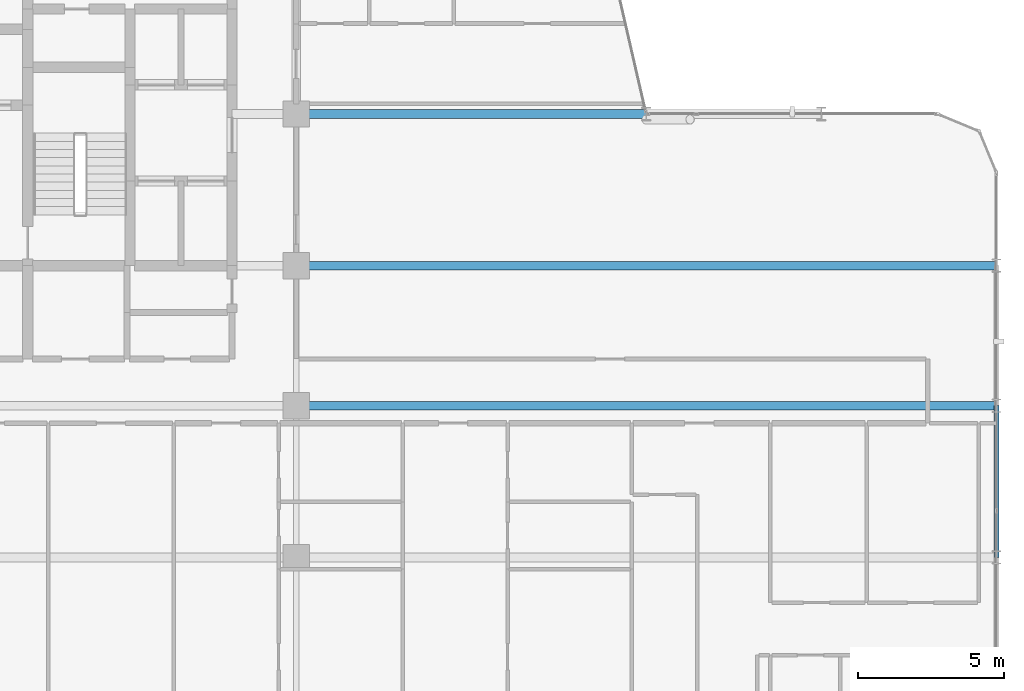
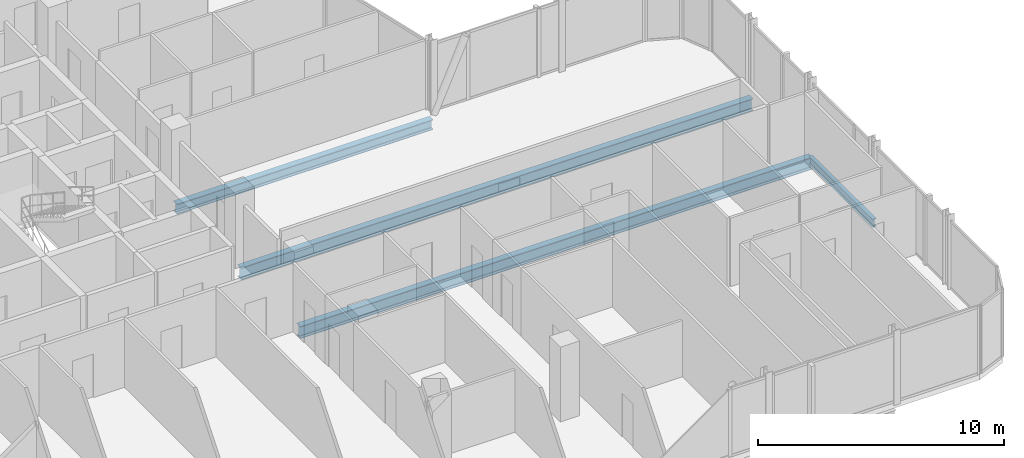
# One storey, part 13 of 29: 4 beams.
"""IFC4 building model written with IfcOpenShell, lengths in metres."""

import ifcopenshell
import ifcopenshell.guid

model = None  # the IFC model being written
_history = None  # IfcOwnerHistory: only IFC2X3 demands one
_inside = {}  # id of a spatial element -> (the spatial element, [elements in it])
_under = {}  # id of a project, library or spatial element -> (it, [spatial elements below it])
_declared = {}  # id of a project -> (the project, [libraries it declares])
_typed = {}  # id of a type object -> (the type object, [elements of that type])
_made_of = {}  # id of a material, layer set ... -> (it, [elements and type objects made of it])


def new_model(schema):
    """Start an empty IFC model of exactly this schema.

    Asked for "IFC4X3", IfcOpenShell would pick the latest addendum, in which some entities
    have other attributes; the version numbers below select the first issue.
    IFC2X3 requires an IfcOwnerHistory on every rooted entity: one is made here for all.
    """
    global model, _history
    if schema == "IFC4X3":
        model = ifcopenshell.file(schema_version=(4, 3, 0, 0))
    else:
        model = ifcopenshell.file(schema=schema)
    _inside.clear()
    _under.clear()
    _declared.clear()
    _typed.clear()
    _made_of.clear()
    _history = None
    if model.schema == "IFC2X3":
        org = make("IfcOrganization", Name="unknown")
        user = make(
            "IfcPersonAndOrganization",
            ThePerson=make("IfcPerson", FamilyName="unknown"),
            TheOrganization=org,
        )
        app = make(
            "IfcApplication",
            ApplicationDeveloper=org,
            Version="unknown",
            ApplicationFullName="unknown",
            ApplicationIdentifier="unknown",
        )
        _history = make(
            "IfcOwnerHistory",
            OwningUser=user,
            OwningApplication=app,
            ChangeAction="ADDED",
            CreationDate=0,
        )
    return model


def make(cls, **values):
    """One entity of the class cls with the attributes given. An attribute that is None is left unset."""
    return model.create_entity(
        cls, **{name: value for name, value in values.items() if value is not None}
    )


def rooted(cls, **values):
    """An entity with a GlobalId (a new one), such as an element, a storey or a relation."""
    return make(cls, GlobalId=ifcopenshell.guid.new(), OwnerHistory=_history, **values)


def si_unit(unit_type, name, prefix=None):
    """IfcSIUnit, for example si_unit("LENGTHUNIT", "METRE", prefix="MILLI")."""
    return make("IfcSIUnit", UnitType=unit_type, Prefix=prefix, Name=name)


def assignment(units):
    """IfcUnitAssignment: the units of a project."""
    return None if units is None else make("IfcUnitAssignment", Units=units)


def point(xyz):
    """IfcCartesianPoint."""
    return None if xyz is None else make("IfcCartesianPoint", Coordinates=xyz)


def direction(xyz):
    """IfcDirection."""
    return None if xyz is None else make("IfcDirection", DirectionRatios=xyz)


def frame(location, z_axis=None, x_axis=None):
    """IfcAxis2Placement3D, a coordinate frame: its origin and axes. An axis left out is left unset."""
    return make(
        "IfcAxis2Placement3D",
        Location=point(location),
        Axis=direction(z_axis),
        RefDirection=direction(x_axis),
    )


def frame_2d(location, x_axis=None):
    """IfcAxis2Placement2D, a coordinate frame in the plane: its origin and x axis."""
    return make(
        "IfcAxis2Placement2D", Location=point(location), RefDirection=direction(x_axis)
    )


def origin():
    """The frame at (0, 0, 0) with its axes left unset."""
    return frame((0.0, 0.0, 0.0))


def origin_2d():
    """The frame at (0, 0) in the plane with its x axis left unset."""
    return frame_2d((0.0, 0.0))


def place(relative_to, where):
    """IfcLocalPlacement: puts the frame where relative to a parent placement (None: the world)."""
    return make(
        "IfcLocalPlacement", PlacementRelTo=relative_to, RelativePlacement=where
    )


def context(
    kind, dimensions, precision=None, world=None, true_north=None, identifier=None
):
    """IfcGeometricRepresentationContext, for example the 3D "Model" context."""
    return make(
        "IfcGeometricRepresentationContext",
        ContextIdentifier=identifier,
        ContextType=kind,
        CoordinateSpaceDimension=dimensions,
        Precision=precision,
        WorldCoordinateSystem=world,
        TrueNorth=true_north,
    )


def subcontext(parent, identifier, kind, view, scale=None):
    """IfcGeometricRepresentationSubContext, for example "Body" below "Model"."""
    return make(
        "IfcGeometricRepresentationSubContext",
        ContextIdentifier=identifier,
        ContextType=kind,
        ParentContext=parent,
        TargetScale=scale,
        TargetView=view,
    )


def project(units=None, contexts=None):
    """IfcProject with its units and contexts."""
    return rooted(
        "IfcProject",
        Name="project",
        RepresentationContexts=contexts,
        UnitsInContext=assignment(units),
    )


def spatial(cls, under=None, at=None, **own):
    """A site, building, storey or space (cls), placed at a placement, below another one or the project."""
    s = rooted(cls, ObjectPlacement=at, **own)
    if under is not None:
        _under.setdefault(under.id(), (under, []))[1].append(s)
    return s


def profile(cls, at=None, kind="AREA", **sizes):
    """A parametric profile (cls). Its sizes go by their IFC names, for example OverallWidth=200.0."""
    return make(cls, ProfileType=kind, Position=at, **sizes)


def i_section(**sizes):
    """IfcIShapeProfileDef."""
    return profile("IfcIShapeProfileDef", **sizes)


def extrude(swept, where, along, depth):
    """IfcExtrudedAreaSolid: the profile swept, set in the frame where, extruded along a direction by depth."""
    return make(
        "IfcExtrudedAreaSolid",
        SweptArea=swept,
        Position=where,
        ExtrudedDirection=direction(along),
        Depth=depth,
    )


def shape(context_of_items, identifier, shape_type, items):
    """IfcShapeRepresentation: the items that make up one representation, for example the "Body"."""
    return make(
        "IfcShapeRepresentation",
        ContextOfItems=context_of_items,
        RepresentationIdentifier=identifier,
        RepresentationType=shape_type,
        Items=items,
    )


def material(Name=None, Category=None):
    """IfcMaterial."""
    return make("IfcMaterial", Name=Name, Category=Category)


def material_profile(
    of_material, cross_section, Name=None, Category=None, Priority=None
):
    """IfcMaterialProfile: a cross section and its material."""
    return make(
        "IfcMaterialProfile",
        Name=Name,
        Material=of_material,
        Profile=cross_section,
        Priority=Priority,
        Category=Category,
    )


def profile_set(profiles, Name=None, composite=None):
    """IfcMaterialProfileSet."""
    return make(
        "IfcMaterialProfileSet",
        Name=Name,
        MaterialProfiles=profiles,
        CompositeProfile=composite,
    )


def made_of(thing, what):
    """Note that an element or type object is made of a material, layer set ...; save() writes the relation."""
    if what is not None:
        _made_of.setdefault(what.id(), (what, []))[1].append(thing)
    return thing


def type_object(cls, material=None, **own):
    """A type object (cls), such as IfcWallType, which elements share."""
    return made_of(rooted(cls, **own), material)


def element(
    cls,
    number,
    at=None,
    inside=None,
    cuts=None,
    type_object=None,
    material=None,
    context=None,
    identifier="Body",
    shape_type=None,
    held_by="IfcProductDefinitionShape",
    body=None,
    shapes=None,
    **own,
):
    """One element of the class cls, such as IfcWall. Its Tag is "e" and its number.

    at: its placement. inside: the storey or other place that contains it. cuts: it is an
    opening in that element (IfcRelVoidsElement). A single representation is given by context,
    identifier, shape_type and body (its items); several are given by shapes. held_by: the class
    of the entity that holds the representations. save() writes the other relations.
    """
    e = rooted(cls, Tag="e%d" % number, ObjectPlacement=at, **own)
    if body is not None:
        shapes = [shape(context, identifier, shape_type, body)]
    if shapes is not None:
        e.Representation = make(held_by, Representations=shapes)
    if inside is not None:
        _inside.setdefault(inside.id(), (inside, []))[1].append(e)
    if cuts is not None:
        rooted(
            "IfcRelVoidsElement", RelatingBuildingElement=cuts, RelatedOpeningElement=e
        )
    if type_object is not None:
        _typed.setdefault(type_object.id(), (type_object, []))[1].append(e)
    return made_of(e, material)


def aggregate(whole, parts):
    """IfcRelAggregates: a whole, such as a stair, and the parts it consists of."""
    return rooted("IfcRelAggregates", RelatingObject=whole, RelatedObjects=parts)


def save(model, path):
    """Write the relations noted so far, then the file.

    IfcRelAggregates (storeys below a building ...), IfcRelContainedInSpatialStructure (elements
    in a storey), IfcRelDefinesByType, IfcRelAssociatesMaterial and IfcRelDeclares: one each for
    every whole, place, type object, material and project.
    """
    for whole, parts in _under.values():
        aggregate(whole, parts)
    for where, things in _inside.values():
        rooted(
            "IfcRelContainedInSpatialStructure",
            RelatedElements=things,
            RelatingStructure=where,
        )
    for kind, things in _typed.values():
        rooted("IfcRelDefinesByType", RelatedObjects=things, RelatingType=kind)
    for what, things in _made_of.values():
        rooted("IfcRelAssociatesMaterial", RelatedObjects=things, RelatingMaterial=what)
    for by, libraries in _declared.values():
        rooted("IfcRelDeclares", RelatingContext=by, RelatedDefinitions=libraries)
    model.write(path)


model = new_model("IFC4")

# Units and contexts
model_context = context("Model", 3, precision=1e-05, world=origin(), true_north=direction((0.0, 1.0)))
body_context = subcontext(model_context, "Body", "Model", "MODEL_VIEW")
ifc_project = project(units=[si_unit("LENGTHUNIT", "METRE"), si_unit("AREAUNIT", "SQUARE_METRE"), si_unit("VOLUMEUNIT", "CUBIC_METRE"), si_unit("PLANEANGLEUNIT", "RADIAN"), si_unit("MASSUNIT", "GRAM", prefix="KILO")], contexts=[model_context])

# Site, building, storey
site_placement = place(None, origin())
site = spatial("IfcSite", under=ifc_project, at=site_placement, CompositionType="ELEMENT")
building_placement = place(site_placement, origin())
building = spatial("IfcBuilding", under=site, at=building_placement, Name="Keshet Zoharim Tower", CompositionType="ELEMENT")
storey_placement = place(building_placement, frame((0.0, 0.0, 195.800048828125)))
storey = spatial("IfcBuildingStorey", under=building, at=storey_placement, Name="L48", CompositionType="ELEMENT", Elevation=195.800048828125)

# Beams
ifc_material = material(Name="Steel S355", Category="steel")
ifc_material_profile_1 = material_profile(ifc_material, i_section(OverallWidth=0.300048828125, OverallDepth=0.60009765625, WebThickness=0.015380859375, FlangeThickness=0.030029296875, FilletRadius=0.027099609375, at=origin_2d()), Name="HEB600")
ifc_profile_set_1 = profile_set([ifc_material_profile_1], Name="Steel S355")
beam_type_1 = type_object("IfcBeamType", Name="BM-LNG-HB600", PredefinedType="BEAM", material=ifc_profile_set_1)
for number, where, z_axis, x_axis, name in (
    (1, (33.0, 17.89990234375, -0.610107421875), (1.0, 0.0, 0.0), (0.0, 1.0, 0.0), "L48 Primary Girder X-013"),
    (2, (33.0, 22.699951171875, -0.610107421875), (1.0, 0.0, 0.0), (0.0, 1.0, 0.0), "L48 Primary Girder X-014"),
):
    element("IfcBeam", number, at=place(storey_placement, frame(where, z_axis=z_axis, x_axis=x_axis)), inside=storey, type_object=beam_type_1, Name=name, PredefinedType="BEAM", context=body_context, shape_type="SweptSolid", body=[
        extrude(i_section(OverallWidth=0.300048828125, OverallDepth=0.60009765625, WebThickness=0.015380859375, FlangeThickness=0.030029296875, FilletRadius=0.027099609375, at=origin_2d()), origin(), (0.0, 0.0, 1.0), 24.0),
    ])
ifc_material_profile_2 = material_profile(ifc_material, i_section(OverallWidth=0.300048828125, OverallDepth=0.5, WebThickness=0.014404296875, FlangeThickness=0.028076171875, FilletRadius=0.027099609375, at=origin_2d()), Name="HEB500")
ifc_profile_set_2 = profile_set([ifc_material_profile_2], Name="Steel S355")
beam_type_2 = type_object("IfcBeamType", Name="BM-MED-HB500", PredefinedType="BEAM", material=ifc_profile_set_2)
beam_1_placement = place(storey_placement, frame((33.0, 27.89990234375, -0.56005859375), z_axis=(1.0, 0.0, 0.0), x_axis=(0.0, 1.0, 0.0)))
element("IfcBeam", 3, at=beam_1_placement, inside=storey, type_object=beam_type_2, Name="L48 Primary Girder X-015", PredefinedType="BEAM", context=body_context, shape_type="SweptSolid", body=[
    extrude(i_section(OverallWidth=0.300048828125, OverallDepth=0.5, WebThickness=0.014404296875, FlangeThickness=0.028076171875, FilletRadius=0.027099609375, at=origin_2d()), origin(), (0.0, 0.0, 1.0), 12.0),
])
ifc_material_profile_3 = material_profile(ifc_material, i_section(OverallWidth=0.179931640625, OverallDepth=0.39990234375, WebThickness=0.008544921875, FlangeThickness=0.013427734375, FilletRadius=0.02099609375, at=origin_2d()), Name="IPE400")
ifc_profile_set_3 = profile_set([ifc_material_profile_3], Name="Steel S355")
beam_type_3 = type_object("IfcBeamType", Name="BM-PRI-IP400", PredefinedType="BEAM", material=ifc_profile_set_3)
beam_2_placement = place(storey_placement, frame((57.0, 12.699951171875, -0.510009765625), z_axis=(0.0, 1.0, 0.0), x_axis=(-1.0, 0.0, 0.0)))
element("IfcBeam", 4, at=beam_2_placement, inside=storey, type_object=beam_type_3, Name="L48 Primary Girder Y-014", PredefinedType="BEAM", context=body_context, shape_type="SweptSolid", body=[
    extrude(i_section(OverallWidth=0.179931640625, OverallDepth=0.39990234375, WebThickness=0.008544921875, FlangeThickness=0.013427734375, FilletRadius=0.02099609375, at=origin_2d()), origin(), (0.0, 0.0, 1.0), 5.199951171875),
])

save(model, "model.ifc")
